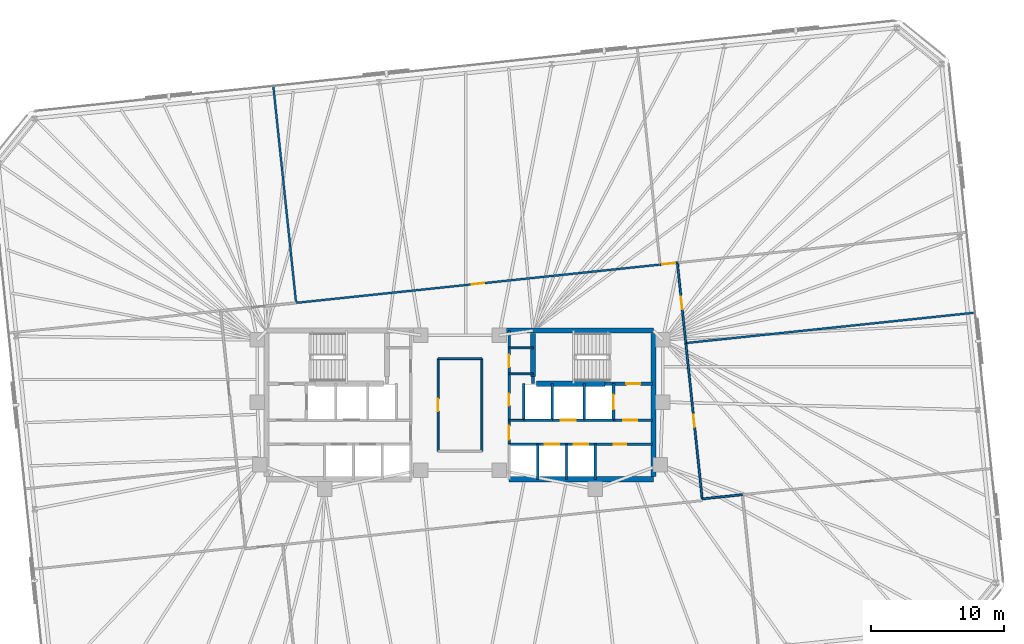
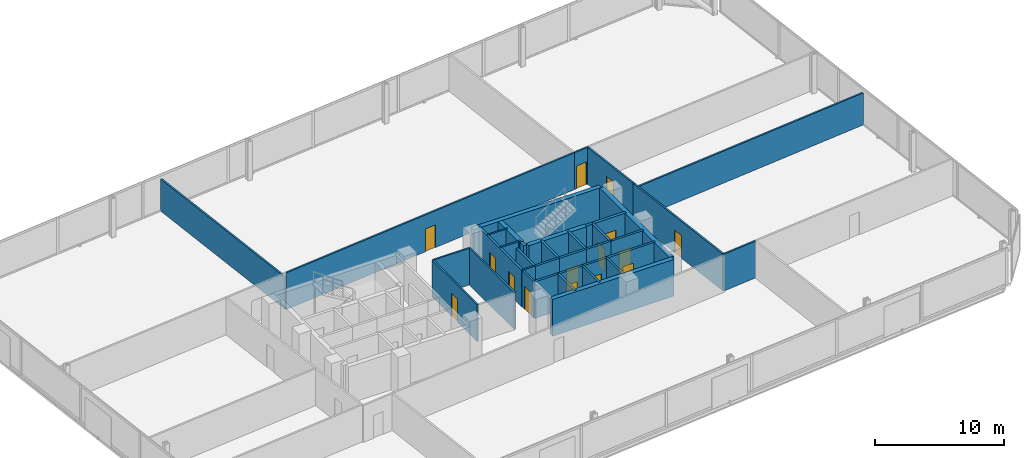
# One storey, part 15 of 18: 34 walls, 15 doors, 15 openings.
"""IFC4 building model written with IfcOpenShell, lengths in metres."""

from ifc_helpers import new_model, si_unit, direction, frame, frame_2d, origin, place, context, subcontext, project, spatial, rectangle, extrude, material, layer, layer_set, type_object, element, fill, save


model = new_model("IFC4")

# Units and contexts
model_context = context("Model", 3, precision=1e-05, world=origin(), true_north=direction((0.0, 1.0)))
body_context = subcontext(model_context, "Body", "Model", "MODEL_VIEW")
ifc_project = project(units=[si_unit("LENGTHUNIT", "METRE"), si_unit("AREAUNIT", "SQUARE_METRE"), si_unit("VOLUMEUNIT", "CUBIC_METRE"), si_unit("PLANEANGLEUNIT", "RADIAN"), si_unit("MASSUNIT", "GRAM", prefix="KILO")], contexts=[model_context])

# Site, building, storey
site_placement = place(None, origin())
site = spatial("IfcSite", under=ifc_project, at=site_placement, CompositionType="ELEMENT")
building_placement = place(site_placement, origin())
building = spatial("IfcBuilding", under=site, at=building_placement, Name="Menara Jurai Vektor", CompositionType="ELEMENT")
storey_placement = place(building_placement, frame((0.0, 0.0, 91.10009765625)))
storey = spatial("IfcBuildingStorey", under=building, at=storey_placement, Name="L22", CompositionType="ELEMENT", Elevation=91.10009765625)

# Wall, opening, door
ifc_material_1 = material(Name="Concrete C40/50", Category="concrete")
ifc_layer_1 = layer(ifc_material_1, 0.25)
ifc_layer_set_1 = layer_set([ifc_layer_1], Name="Concrete C40/50")
wall_type_1 = type_object("IfcWallType", Name="INT-WALL-CORE-250", PredefinedType="STANDARD", material=ifc_layer_set_1)
wall_1_placement = place(storey_placement, frame((10.89990234375, 1.60009765625, 0.0), z_axis=(0.0, 0.0, 1.0), x_axis=(1.0, 0.0, 0.0)))
wall_1 = element("IfcWall", 1, at=wall_1_placement, inside=storey, type_object=wall_type_1, Name="Interior Wall IW-250 L22", PredefinedType="STANDARD", context=body_context, shape_type="SweptSolid", body=[
    extrude(rectangle(XDim=3.60009765625, YDim=0.25, at=frame_2d((1.800048828125, 0.0))), origin(), (0.0, 0.0, 1.0), 3.474853515625),
])
opening_1_placement = place(wall_1_placement, frame((1.6201171875, 0.0, 0.0)))
opening_1 = element("IfcOpeningElement", 2, at=opening_1_placement, cuts=wall_1, Name="Opening D-L22-ST2", PredefinedType="OPENING", context=body_context, shape_type="SweptSolid", body=[
    extrude(rectangle(XDim=1.050048828125, YDim=2.14990234375, at=frame_2d((0.52490234375, 1.074951171875))), frame((0.0, 0.135009765625, 0.0), z_axis=(0.0, -1.0, 0.0), x_axis=(1.0, 0.0, 0.0)), (0.0, 0.0, 1.0), 0.27001953125),
])
ifc_material_2 = material(Name="Fire-Rated Steel Door", Category="steel")
door_type_1 = type_object("IfcDoorType", Name="DR-STAIR-1050", OperationType="NOTDEFINED", PredefinedType="DOOR", material=ifc_material_2)
door_1_placement = place(opening_1_placement, origin())
door_1 = element("IfcDoor", 3, at=door_1_placement, inside=storey, type_object=door_type_1, Name="Exit Stair ST2 Door L22", OperationType="SINGLE_SWING_LEFT", OverallHeight=2.14990234375, OverallWidth=1.050048828125, PredefinedType="DOOR", context=body_context, shape_type="SweptSolid", body=[
    extrude(rectangle(XDim=1.050048828125, YDim=2.14990234375, at=frame_2d((0.52490234375, 1.074951171875))), frame((0.0, 0.02490234375, 0.0), z_axis=(0.0, -1.0, 0.0), x_axis=(1.0, 0.0, 0.0)), (0.0, 0.0, 1.0), 0.050048828125),
])
fill(opening_1, door_1)

# Wall
wall_2_placement = place(storey_placement, frame((5.5, 1.60009765625, 0.0), z_axis=(0.0, 0.0, 1.0), x_axis=(0.0, 1.0, 0.0)))
element("IfcWall", 4, at=wall_2_placement, inside=storey, type_object=wall_type_1, Name="Interior Wall IW-250 L22", PredefinedType="STANDARD", context=body_context, shape_type="SweptSolid", body=[
    extrude(rectangle(XDim=0.5498046875, YDim=0.25, at=frame_2d((0.27490234375, 0.0))), origin(), (0.0, 0.0, 1.0), 3.474853515625),
])

# Wall, opening, door
wall_3_placement = place(storey_placement, frame((11.550048828125, -1.14990234375, 0.0), z_axis=(0.0, 0.0, 1.0), x_axis=(0.0, 1.0, 0.0)))
wall_3 = element("IfcWall", 5, at=wall_3_placement, inside=storey, type_object=wall_type_1, Name="Interior Wall IW-250 L22", PredefinedType="STANDARD", context=body_context, shape_type="SweptSolid", body=[
    extrude(rectangle(XDim=2.75, YDim=0.199951171875, at=frame_2d((1.375, 0.0))), origin(), (0.0, 0.0, 1.0), 3.474853515625),
])
opening_2_placement = place(wall_3_placement, frame((0.824951171875, 0.0, 0.0)))
opening_2 = element("IfcOpeningElement", 6, at=opening_2_placement, cuts=wall_3, Name="Opening LD-L22-FL2", PredefinedType="OPENING", context=body_context, shape_type="SweptSolid", body=[
    extrude(rectangle(XDim=1.10009765625, YDim=2.14990234375, at=frame_2d((0.550048828125, 1.074951171875))), frame((0.0, 0.10986328125, 0.0), z_axis=(0.0, -1.0, 0.0), x_axis=(1.0, 0.0, 0.0)), (0.0, 0.0, 1.0), 0.219970703125),
])
ifc_material_3 = material(Name="Stainless Steel Sliding Lift Landing Door", Category="steel")
door_type_2 = type_object("IfcDoorType", Name="DR-LIFT-FIRE-1100", OperationType="NOTDEFINED", PredefinedType="DOOR", material=ifc_material_3)
door_2_placement = place(opening_2_placement, origin())
door_2 = element("IfcDoor", 7, at=door_2_placement, inside=storey, type_object=door_type_2, Name="Lift Landing Door FL2 L22", OperationType="SLIDING_TO_RIGHT", OverallHeight=2.14990234375, OverallWidth=1.10009765625, PredefinedType="DOOR", context=body_context, shape_type="SweptSolid", body=[
    extrude(rectangle(XDim=1.10009765625, YDim=2.14990234375, at=frame_2d((0.550048828125, 1.074951171875))), frame((0.0, 0.02490234375, 0.0), z_axis=(0.0, -1.0, 0.0), x_axis=(1.0, 0.0, 0.0)), (0.0, 0.0, 1.0), 0.050048828125),
])
fill(opening_2, door_2)

# Wall
wall_4_placement = place(storey_placement, frame((9.35009765625, -1.14990234375, 0.0), z_axis=(0.0, 0.0, 1.0), x_axis=(0.0, 1.0, 0.0)))
element("IfcWall", 8, at=wall_4_placement, inside=storey, type_object=wall_type_1, Name="Interior Wall IW-250 L22", PredefinedType="STANDARD", context=body_context, shape_type="SweptSolid", body=[
    extrude(rectangle(XDim=2.75, YDim=0.199951171875, at=frame_2d((1.375, 0.0))), origin(), (0.0, 0.0, 1.0), 3.474853515625),
])

# Wall, opening, door
wall_5_placement = place(storey_placement, frame((11.550048828125, -1.14990234375, 0.0), z_axis=(0.0, 0.0, 1.0), x_axis=(1.0, 0.0, 0.0)))
wall_5 = element("IfcWall", 9, at=wall_5_placement, inside=storey, type_object=wall_type_1, Name="Interior Wall IW-250 L22", PredefinedType="STANDARD", context=body_context, shape_type="SweptSolid", body=[
    extrude(rectangle(XDim=2.949951171875, YDim=0.199951171875, at=frame_2d((1.47509765625, 0.0))), origin(), (0.0, 0.0, 1.0), 3.474853515625),
])
opening_3_placement = place(wall_5_placement, frame((0.75, 0.0, 0.0)))
opening_3 = element("IfcOpeningElement", 10, at=opening_3_placement, cuts=wall_5, Name="Opening D-L22-FFE", PredefinedType="OPENING", context=body_context, shape_type="SweptSolid", body=[
    extrude(rectangle(XDim=1.050048828125, YDim=2.179931640625, at=frame_2d((0.52490234375, 1.08984375))), frame((0.0, 0.10986328125, 0.0), z_axis=(0.0, -1.0, 0.0), x_axis=(1.0, 0.0, 0.0)), (0.0, 0.0, 1.0), 0.219970703125),
])
ifc_material_4 = material(Name="Fire-Rated Timber Door", Category="wood")
door_type_3 = type_object("IfcDoorType", Name="DR-LOBBY-1050", OperationType="NOTDEFINED", PredefinedType="DOOR", material=ifc_material_4)
door_3_placement = place(opening_3_placement, origin())
door_3 = element("IfcDoor", 11, at=door_3_placement, inside=storey, type_object=door_type_3, Name="Fire Lift Lobby Door E L22", OperationType="SINGLE_SWING_LEFT", OverallHeight=2.179931640625, OverallWidth=1.050048828125, PredefinedType="DOOR", context=body_context, shape_type="SweptSolid", body=[
    extrude(rectangle(XDim=1.050048828125, YDim=2.179931640625, at=frame_2d((0.52490234375, 1.08984375))), frame((0.0, 0.02490234375, 0.0), z_axis=(0.0, -1.0, 0.0), x_axis=(1.0, 0.0, 0.0)), (0.0, 0.0, 1.0), 0.050048828125),
])
fill(opening_3, door_3)

# Wall
wall_6_placement = place(storey_placement, frame((9.35009765625, -1.14990234375, 0.0), z_axis=(0.0, 0.0, 1.0), x_axis=(1.0, 0.0, 0.0)))
element("IfcWall", 12, at=wall_6_placement, inside=storey, type_object=wall_type_1, Name="Interior Wall IW-250 L22", PredefinedType="STANDARD", context=body_context, shape_type="SweptSolid", body=[
    extrude(rectangle(XDim=2.199951171875, YDim=0.199951171875, at=frame_2d((1.10009765625, 0.0))), origin(), (0.0, 0.0, 1.0), 3.474853515625),
])

# Wall, opening, door
ifc_material_5 = material(Name="Gypsum Fireboard Partition", Category="gypsum")
ifc_layer_2 = layer(ifc_material_5, 0.14990234375)
ifc_layer_set_2 = layer_set([ifc_layer_2], Name="Gypsum Fireboard Partition")
wall_type_2 = type_object("IfcWallType", Name="INT-WALL-CORR-150", PredefinedType="PARTITIONING", material=ifc_layer_set_2)
wall_7_placement = place(storey_placement, frame((3.699951171875, -2.949951171875, 0.0), z_axis=(0.0, 0.0, 1.0), x_axis=(0.0, 1.0, 0.0)))
wall_7 = element("IfcWall", 13, at=wall_7_placement, inside=storey, type_object=wall_type_2, Name="Interior Wall IW-150 L22", PredefinedType="PARTITIONING", context=body_context, shape_type="SweptSolid", body=[
    extrude(rectangle(XDim=1.800048828125, YDim=0.14990234375, at=frame_2d((0.89990234375, 0.0))), origin(), (0.0, 0.0, 1.0), 3.474853515625),
])
opening_4_placement = place(wall_7_placement, frame((0.35009765625, 0.0, 0.0)))
opening_4 = element("IfcOpeningElement", 14, at=opening_4_placement, cuts=wall_7, Name="Opening D-L22-LLE", PredefinedType="OPENING", context=body_context, shape_type="SweptSolid", body=[
    extrude(rectangle(XDim=1.050048828125, YDim=2.179931640625, at=frame_2d((0.52490234375, 1.08984375))), frame((0.0, 0.0849609375, 0.0), z_axis=(0.0, -1.0, 0.0), x_axis=(1.0, 0.0, 0.0)), (0.0, 0.0, 1.0), 0.169921875),
])
door_4_placement = place(opening_4_placement, frame((1.050048828125, 0.0, 0.0), z_axis=(0.0, 0.0, 1.0), x_axis=(-1.0, 0.0, 0.0)))
door_4 = element("IfcDoor", 15, at=door_4_placement, inside=storey, type_object=door_type_3, Name="Lift Lobby Corridor Door E L22", OperationType="SINGLE_SWING_RIGHT", OverallHeight=2.179931640625, OverallWidth=1.050048828125, PredefinedType="DOOR", context=body_context, shape_type="SweptSolid", body=[
    extrude(rectangle(XDim=1.050048828125, YDim=2.179931640625, at=frame_2d((0.52490234375, 1.08984375))), frame((0.0, 0.02490234375, 0.0), z_axis=(0.0, -1.0, 0.0), x_axis=(1.0, 0.0, 0.0)), (0.0, 0.0, 1.0), 0.050048828125),
])
fill(opening_4, door_4)

# Walls
wall_8_placement = place(storey_placement, frame((3.699951171875, -1.14990234375, 0.0), z_axis=(0.0, 0.0, 1.0), x_axis=(1.0, 0.0, 0.0)))
element("IfcWall", 16, at=wall_8_placement, inside=storey, type_object=wall_type_2, Name="Interior Wall IW-150 L22", PredefinedType="PARTITIONING", context=body_context, shape_type="SweptSolid", body=[
    extrude(rectangle(XDim=1.090087890625, YDim=0.14990234375, at=frame_2d((0.544921875, 0.0))), origin(), (0.0, 0.0, 1.0), 3.474853515625),
])
for number, where, z_axis, x_axis, name in (
    (17, (3.699951171875, 4.300048828125, 0.0), (0.0, 0.0, 1.0), (1.0, 0.0, 0.0), "Interior Wall IW-150 L22"),
    (18, (3.699951171875, 2.35009765625, 0.0), (0.0, 0.0, 1.0), (1.0, 0.0, 0.0), "Interior Wall IW-150 L22"),
):
    element("IfcWall", number, at=place(storey_placement, frame(where, z_axis=z_axis, x_axis=x_axis)), inside=storey, type_object=wall_type_2, Name=name, PredefinedType="PARTITIONING", context=body_context, shape_type="SweptSolid", body=[
        extrude(rectangle(XDim=1.800048828125, YDim=0.14990234375, at=frame_2d((0.89990234375, 0.0))), origin(), (0.0, 0.0, 1.0), 3.474853515625),
    ])

# Wall, opening, door
wall_9_placement = place(storey_placement, frame((-1.649658203125, -3.490478515625, 0.0), z_axis=(0.0, 0.0, 1.0), x_axis=(-0.000104928124, 0.999999994495, 0.0)))
wall_9 = element("IfcWall", 19, at=wall_9_placement, inside=storey, type_object=wall_type_2, Name="Interior Wall IW-150 L22", PredefinedType="PARTITIONING", context=body_context, shape_type="SweptSolid", body=[
    extrude(rectangle(XDim=6.980224609375, YDim=0.14990234375, at=frame_2d((3.490234375, 0.0))), origin(), (0.0, 0.0, 1.0), 3.474853515625),
])
opening_5_placement = place(wall_9_placement, frame((3.01513671875, 0.0, 0.0)))
opening_5 = element("IfcOpeningElement", 20, at=opening_5_placement, cuts=wall_9, Name="Opening D22-06", PredefinedType="OPENING", context=body_context, shape_type="SweptSolid", body=[
    extrude(rectangle(XDim=0.949951171875, YDim=2.14990234375, at=frame_2d((0.47509765625, 1.074951171875))), frame((0.0, 0.0849609375, 0.0), z_axis=(0.0, -1.0, 0.0), x_axis=(1.0, 0.0, 0.0)), (0.0, 0.0, 1.0), 0.169921875),
])
ifc_material_6 = material(Name="Solid Core Timber Fire Door", Category="wood")
door_type_4 = type_object("IfcDoorType", Name="DR-ENTRY-950", OperationType="NOTDEFINED", PredefinedType="DOOR", material=ifc_material_6)
door_5_placement = place(opening_5_placement, origin())
door_5 = element("IfcDoor", 21, at=door_5_placement, inside=storey, type_object=door_type_4, Name="Interior Door D22-06", OperationType="SINGLE_SWING_LEFT", OverallHeight=2.14990234375, OverallWidth=0.949951171875, PredefinedType="DOOR", context=body_context, shape_type="SweptSolid", body=[
    extrude(rectangle(XDim=0.949951171875, YDim=2.14990234375, at=frame_2d((0.47509765625, 1.074951171875))), frame((0.0, 0.02490234375, 0.0), z_axis=(0.0, -1.0, 0.0), x_axis=(1.0, 0.0, 0.0)), (0.0, 0.0, 1.0), 0.050048828125),
])
fill(opening_5, door_5)

# Walls
wall_10_placement = place(storey_placement, frame((-1.650390625, 3.48974609375, 0.0), z_axis=(0.0, 0.0, 1.0), x_axis=(1.0, 0.0, 0.0)))
element("IfcWall", 22, at=wall_10_placement, inside=storey, type_object=wall_type_2, Name="Interior Wall IW-150 L22", PredefinedType="PARTITIONING", context=body_context, shape_type="SweptSolid", body=[
    extrude(rectangle(XDim=3.30029296875, YDim=0.14990234375, at=frame_2d((1.650146484375, 0.0))), origin(), (0.0, 0.0, 1.0), 3.474853515625),
])
wall_11_placement = place(storey_placement, frame((1.650390625, -3.490478515625, 0.0), z_axis=(0.0, 0.0, 1.0), x_axis=(-6.9952083e-05, 0.999999997553, 0.0)))
element("IfcWall", 23, at=wall_11_placement, inside=storey, type_object=wall_type_2, Name="Interior Wall IW-150 L22", PredefinedType="PARTITIONING", context=body_context, shape_type="SweptSolid", body=[
    extrude(rectangle(XDim=6.980224609375, YDim=0.14990234375, at=frame_2d((3.490234375, 0.0))), origin(), (0.0, 0.0, 1.0), 3.474853515625),
])

# Wall, opening, door
wall_12_placement = place(storey_placement, frame((-12.335693359375, 7.68798828125, 0.0), z_axis=(0.0, 0.0, 1.0), x_axis=(0.994522386381, 0.104523791488, 0.0)))
wall_12 = element("IfcWall", 24, at=wall_12_placement, inside=storey, type_object=wall_type_2, Name="Interior Wall IW-150 L22", PredefinedType="PARTITIONING", context=body_context, shape_type="SweptSolid", body=[
    extrude(rectangle(XDim=27.550048828125, YDim=0.14990234375, at=frame_2d((13.77490234375, 0.0))), origin(), (0.0, 0.0, 1.0), 3.474853515625),
])
opening_6_placement = place(wall_12_placement, frame((13.300048828125, 0.0, 0.0)))
opening_6 = element("IfcOpeningElement", 25, at=opening_6_placement, cuts=wall_12, Name="Opening D22-08", PredefinedType="OPENING", context=body_context, shape_type="SweptSolid", body=[
    extrude(rectangle(XDim=0.949951171875, YDim=2.14990234375, at=frame_2d((0.47509765625, 1.074951171875))), frame((0.0, 0.0849609375, 0.0), z_axis=(0.0, -1.0, 0.0), x_axis=(1.0, 0.0, 0.0)), (0.0, 0.0, 1.0), 0.169921875),
])
door_6_placement = place(opening_6_placement, origin())
door_6 = element("IfcDoor", 26, at=door_6_placement, inside=storey, type_object=door_type_4, Name="Interior Door D22-08", OperationType="SINGLE_SWING_LEFT", OverallHeight=2.14990234375, OverallWidth=0.949951171875, PredefinedType="DOOR", context=body_context, shape_type="SweptSolid", body=[
    extrude(rectangle(XDim=0.949951171875, YDim=2.14990234375, at=frame_2d((0.47509765625, 1.074951171875))), frame((0.0, 0.02490234375, 0.0), z_axis=(0.0, -1.0, 0.0), x_axis=(1.0, 0.0, 0.0)), (0.0, 0.0, 1.0), 0.050048828125),
])
fill(opening_6, door_6)

wall_13_placement = place(storey_placement, frame((15.0634765625, 10.567626953125, 0.0), z_axis=(0.0, 0.0, 1.0), x_axis=(0.994533054704, 0.104422234707, 0.0)))
wall_13 = element("IfcWall", 27, at=wall_13_placement, inside=storey, type_object=wall_type_2, Name="Interior Wall IW-150 L22", PredefinedType="PARTITIONING", context=body_context, shape_type="SweptSolid", body=[
    extrude(rectangle(XDim=1.306884765625, YDim=0.14990234375, at=frame_2d((0.6533203125, 0.0))), origin(), (0.0, 0.0, 1.0), 3.474853515625),
])
opening_7_placement = place(wall_13_placement, frame((0.178466796875, 0.0, 0.0)))
opening_7 = element("IfcOpeningElement", 28, at=opening_7_placement, cuts=wall_13, Name="Opening D22-09", PredefinedType="OPENING", context=body_context, shape_type="SweptSolid", body=[
    extrude(rectangle(XDim=0.949951171875, YDim=2.14990234375, at=frame_2d((0.47509765625, 1.074951171875))), frame((0.0, 0.0849609375, 0.0), z_axis=(0.0, -1.0, 0.0), x_axis=(1.0, 0.0, 0.0)), (0.0, 0.0, 1.0), 0.169921875),
])
door_7_placement = place(opening_7_placement, origin())
door_7 = element("IfcDoor", 29, at=door_7_placement, inside=storey, type_object=door_type_4, Name="Interior Door D22-09", OperationType="SINGLE_SWING_RIGHT", OverallHeight=2.14990234375, OverallWidth=0.949951171875, PredefinedType="DOOR", context=body_context, shape_type="SweptSolid", body=[
    extrude(rectangle(XDim=0.949951171875, YDim=2.14990234375, at=frame_2d((0.47509765625, 1.074951171875))), frame((0.0, 0.02490234375, 0.0), z_axis=(0.0, -1.0, 0.0), x_axis=(1.0, 0.0, 0.0)), (0.0, 0.0, 1.0), 0.050048828125),
])
fill(opening_7, door_7)

wall_14_placement = place(storey_placement, frame((18.231201171875, -7.06787109375, 0.0), z_axis=(0.0, 0.0, 1.0), x_axis=(-0.104536082083, 0.994521094569, 0.0)))
wall_14 = element("IfcWall", 30, at=wall_14_placement, inside=storey, type_object=wall_type_2, Name="Interior Wall IW-150 L22", PredefinedType="PARTITIONING", context=body_context, shape_type="SweptSolid", body=[
    extrude(rectangle(XDim=11.794189453125, YDim=0.14990234375, at=frame_2d((5.89697265625, 0.0))), origin(), (0.0, 0.0, 1.0), 3.474853515625),
])
opening_8_placement = place(wall_14_placement, frame((5.422119140625, 0.0, 0.0)))
opening_8 = element("IfcOpeningElement", 31, at=opening_8_placement, cuts=wall_14, Name="Opening D22-14", PredefinedType="OPENING", context=body_context, shape_type="SweptSolid", body=[
    extrude(rectangle(XDim=0.949951171875, YDim=2.14990234375, at=frame_2d((0.47509765625, 1.074951171875))), frame((0.0, 0.0849609375, 0.0), z_axis=(0.0, -1.0, 0.0), x_axis=(1.0, 0.0, 0.0)), (0.0, 0.0, 1.0), 0.169921875),
])
door_8_placement = place(opening_8_placement, origin())
door_8 = element("IfcDoor", 32, at=door_8_placement, inside=storey, type_object=door_type_4, Name="Interior Door D22-14", OperationType="SINGLE_SWING_LEFT", OverallHeight=2.14990234375, OverallWidth=0.949951171875, PredefinedType="DOOR", context=body_context, shape_type="SweptSolid", body=[
    extrude(rectangle(XDim=0.949951171875, YDim=2.14990234375, at=frame_2d((0.47509765625, 1.074951171875))), frame((0.0, 0.02490234375, 0.0), z_axis=(0.0, -1.0, 0.0), x_axis=(1.0, 0.0, 0.0)), (0.0, 0.0, 1.0), 0.050048828125),
])
fill(opening_8, door_8)

wall_15_placement = place(storey_placement, frame((16.998291015625, 4.66162109375, 0.0), z_axis=(0.0, 0.0, 1.0), x_axis=(-0.104515354875, 0.994523273029, 0.0)))
wall_15 = element("IfcWall", 33, at=wall_15_placement, inside=storey, type_object=wall_type_2, Name="Interior Wall IW-150 L22", PredefinedType="PARTITIONING", context=body_context, shape_type="SweptSolid", body=[
    extrude(rectangle(XDim=6.07568359375, YDim=0.14990234375, at=frame_2d((3.037841796875, 0.0))), origin(), (0.0, 0.0, 1.0), 3.474853515625),
])
opening_9_placement = place(wall_15_placement, frame((2.56298828125, 0.0, 0.0)))
opening_9 = element("IfcOpeningElement", 34, at=opening_9_placement, cuts=wall_15, Name="Opening D22-15", PredefinedType="OPENING", context=body_context, shape_type="SweptSolid", body=[
    extrude(rectangle(XDim=0.949951171875, YDim=2.14990234375, at=frame_2d((0.47509765625, 1.074951171875))), frame((0.0, 0.0849609375, 0.0), z_axis=(0.0, -1.0, 0.0), x_axis=(1.0, 0.0, 0.0)), (0.0, 0.0, 1.0), 0.169921875),
])
door_9_placement = place(opening_9_placement, origin())
door_9 = element("IfcDoor", 35, at=door_9_placement, inside=storey, type_object=door_type_4, Name="Interior Door D22-15", OperationType="SINGLE_SWING_RIGHT", OverallHeight=2.14990234375, OverallWidth=0.949951171875, PredefinedType="DOOR", context=body_context, shape_type="SweptSolid", body=[
    extrude(rectangle(XDim=0.949951171875, YDim=2.14990234375, at=frame_2d((0.47509765625, 1.074951171875))), frame((0.0, 0.02490234375, 0.0), z_axis=(0.0, -1.0, 0.0), x_axis=(1.0, 0.0, 0.0)), (0.0, 0.0, 1.0), 0.050048828125),
])
fill(opening_9, door_9)

# Walls
wall_16_placement = place(storey_placement, frame((18.231201171875, -7.06787109375, 0.0), z_axis=(0.0, 0.0, 1.0), x_axis=(0.994520828596, 0.104538612428, 0.0)))
element("IfcWall", 36, at=wall_16_placement, inside=storey, type_object=wall_type_2, Name="Interior Wall IW-150 L22", PredefinedType="PARTITIONING", context=body_context, shape_type="SweptSolid", body=[
    extrude(rectangle(XDim=3.04296875, YDim=0.14990234375, at=frame_2d((1.521484375, 0.0))), origin(), (0.0, 0.0, 1.0), 3.474853515625),
])
ifc_layer_3 = layer(ifc_material_5, 0.14990234375)
ifc_layer_set_3 = layer_set([ifc_layer_3], Name="Gypsum Fireboard Partition")
wall_type_3 = type_object("IfcWallType", Name="INT-WALL-CORR-150-H1", PredefinedType="PARTITIONING", material=ifc_layer_set_3)
wall_17_placement = place(storey_placement, frame((-12.335693359375, 7.68798828125, 0.0), z_axis=(0.0, 0.0, 1.0), x_axis=(-0.104521364336, 0.99452264147, 0.0)))
element("IfcWall", 37, at=wall_17_placement, inside=storey, type_object=wall_type_3, Name="Interior Wall IW-150 L22", PredefinedType="PARTITIONING", context=body_context, shape_type="SweptSolid", body=[
    extrude(rectangle(XDim=16.408935546875, YDim=0.14990234375, at=frame_2d((8.20458984375, 0.0))), origin(), (0.0, 0.0, 1.0), 3.02490234375),
])
wall_18_placement = place(storey_placement, frame((16.998291015625, 4.66162109375, 0.0), z_axis=(0.0, 0.0, 1.0), x_axis=(0.994522487751, 0.10452282697, 0.0)))
element("IfcWall", 38, at=wall_18_placement, inside=storey, type_object=wall_type_3, Name="Interior Wall IW-150 L22", PredefinedType="PARTITIONING", context=body_context, shape_type="SweptSolid", body=[
    extrude(rectangle(XDim=21.89306640625, YDim=0.14990234375, at=frame_2d((10.946533203125, 0.0))), origin(), (0.0, 0.0, 1.0), 3.02490234375),
])

# Wall, openings, doors
ifc_layer_4 = layer(ifc_material_1, 0.199951171875)
ifc_layer_set_4 = layer_set([ifc_layer_4], Name="Concrete C40/50")
wall_type_4 = type_object("IfcWallType", Name="INT-WALL-SHAFT-200", PredefinedType="STANDARD", material=ifc_layer_set_4)
wall_19_placement = place(storey_placement, frame((3.699951171875, -1.14990234375, 0.0), z_axis=(0.0, 0.0, 1.0), x_axis=(0.0, 1.0, 0.0)))
wall_19 = element("IfcWall", 39, at=wall_19_placement, inside=storey, type_object=wall_type_4, Name="Interior Wall IW-200 L22", PredefinedType="STANDARD", context=body_context, shape_type="SweptSolid", body=[
    extrude(rectangle(XDim=6.75, YDim=0.199951171875, at=frame_2d((3.375, 0.0))), origin(), (0.0, 0.0, 1.0), 3.474853515625),
])
opening_10_placement = place(wall_19_placement, frame((1.10009765625, 0.0, 0.0)))
opening_10 = element("IfcOpeningElement", 40, at=opening_10_placement, cuts=wall_19, Name="Opening D22-04", PredefinedType="OPENING", context=body_context, shape_type="SweptSolid", body=[
    extrude(rectangle(XDim=0.89990234375, YDim=2.14990234375, at=frame_2d((0.449951171875, 1.074951171875))), frame((0.0, 0.10986328125, 0.0), z_axis=(0.0, -1.0, 0.0), x_axis=(1.0, 0.0, 0.0)), (0.0, 0.0, 1.0), 0.219970703125),
])
opening_11_placement = place(wall_19_placement, frame((4.0, 0.0, 0.0)))
opening_11 = element("IfcOpeningElement", 41, at=opening_11_placement, cuts=wall_19, Name="Opening D22-05", PredefinedType="OPENING", context=body_context, shape_type="SweptSolid", body=[
    extrude(rectangle(XDim=0.919921875, YDim=2.14990234375, at=frame_2d((0.4599609375, 1.074951171875))), frame((0.0, 0.10986328125, 0.0), z_axis=(0.0, -1.0, 0.0), x_axis=(1.0, 0.0, 0.0)), (0.0, 0.0, 1.0), 0.219970703125),
])
door_10_placement = place(opening_10_placement, origin())
door_10 = element("IfcDoor", 42, at=door_10_placement, inside=storey, type_object=door_type_4, Name="Interior Door D22-04", OperationType="SINGLE_SWING_RIGHT", OverallHeight=2.14990234375, OverallWidth=0.89990234375, PredefinedType="DOOR", context=body_context, shape_type="SweptSolid", body=[
    extrude(rectangle(XDim=0.89990234375, YDim=2.14990234375, at=frame_2d((0.449951171875, 1.074951171875))), frame((0.0, 0.02490234375, 0.0), z_axis=(0.0, -1.0, 0.0), x_axis=(1.0, 0.0, 0.0)), (0.0, 0.0, 1.0), 0.050048828125),
])
fill(opening_10, door_10)
door_11_placement = place(opening_11_placement, origin())
door_11 = element("IfcDoor", 43, at=door_11_placement, inside=storey, type_object=door_type_4, Name="Interior Door D22-05", OperationType="SINGLE_SWING_RIGHT", OverallHeight=2.14990234375, OverallWidth=0.919921875, PredefinedType="DOOR", context=body_context, shape_type="SweptSolid", body=[
    extrude(rectangle(XDim=0.919921875, YDim=2.14990234375, at=frame_2d((0.4599609375, 1.074951171875))), frame((0.0, 0.02490234375, 0.0), z_axis=(0.0, -1.0, 0.0), x_axis=(1.0, 0.0, 0.0)), (0.0, 0.0, 1.0), 0.050048828125),
])
fill(opening_11, door_11)

# Wall
wall_20_placement = place(storey_placement, frame((6.949951171875, -1.14990234375, 0.0), z_axis=(0.0, 0.0, 1.0), x_axis=(0.0, 1.0, 0.0)))
element("IfcWall", 44, at=wall_20_placement, inside=storey, type_object=wall_type_4, Name="Interior Wall IW-200 L22", PredefinedType="STANDARD", context=body_context, shape_type="SweptSolid", body=[
    extrude(rectangle(XDim=2.75, YDim=0.199951171875, at=frame_2d((1.375, 0.0))), origin(), (0.0, 0.0, 1.0), 3.474853515625),
])

# Wall, opening, door
wall_21_placement = place(storey_placement, frame((6.949951171875, -1.14990234375, 0.0), z_axis=(0.0, 0.0, 1.0), x_axis=(1.0, 0.0, 0.0)))
wall_21 = element("IfcWall", 45, at=wall_21_placement, inside=storey, type_object=wall_type_4, Name="Interior Wall IW-200 L22", PredefinedType="STANDARD", context=body_context, shape_type="SweptSolid", body=[
    extrude(rectangle(XDim=2.400146484375, YDim=0.199951171875, at=frame_2d((1.2001953125, 0.0))), origin(), (0.0, 0.0, 1.0), 3.474853515625),
])
opening_12_placement = place(wall_21_placement, frame((0.64990234375, 0.0, 0.0)))
opening_12 = element("IfcOpeningElement", 46, at=opening_12_placement, cuts=wall_21, Name="Opening LD-L22-SVL2", PredefinedType="OPENING", context=body_context, shape_type="SweptSolid", body=[
    extrude(rectangle(XDim=1.10009765625, YDim=2.14990234375, at=frame_2d((0.550048828125, 1.074951171875))), frame((0.0, 0.10986328125, 0.0), z_axis=(0.0, -1.0, 0.0), x_axis=(1.0, 0.0, 0.0)), (0.0, 0.0, 1.0), 0.219970703125),
])
ifc_material_7 = material(Name="Anodised Stainless Sliding Lift Landing Door", Category="steel")
door_type_5 = type_object("IfcDoorType", Name="DR-LIFT-PASS-1100", OperationType="NOTDEFINED", PredefinedType="DOOR", material=ifc_material_7)
door_12_placement = place(opening_12_placement, origin())
door_12 = element("IfcDoor", 47, at=door_12_placement, inside=storey, type_object=door_type_5, Name="Lift Landing Door SVL2 L22", OperationType="SLIDING_TO_RIGHT", OverallHeight=2.14990234375, OverallWidth=1.10009765625, PredefinedType="DOOR", context=body_context, shape_type="SweptSolid", body=[
    extrude(rectangle(XDim=1.10009765625, YDim=2.14990234375, at=frame_2d((0.550048828125, 1.074951171875))), frame((0.0, 0.02490234375, 0.0), z_axis=(0.0, -1.0, 0.0), x_axis=(1.0, 0.0, 0.0)), (0.0, 0.0, 1.0), 0.050048828125),
])
fill(opening_12, door_12)

# Walls
wall_22_placement = place(storey_placement, frame((4.7900390625, -1.14990234375, 0.0), z_axis=(0.0, 0.0, 1.0), x_axis=(0.0, 1.0, 0.0)))
element("IfcWall", 48, at=wall_22_placement, inside=storey, type_object=wall_type_4, Name="Interior Wall IW-200 L22", PredefinedType="STANDARD", context=body_context, shape_type="SweptSolid", body=[
    extrude(rectangle(XDim=2.75, YDim=0.199951171875, at=frame_2d((1.375, 0.0))), origin(), (0.0, 0.0, 1.0), 3.474853515625),
])
wall_23_placement = place(storey_placement, frame((4.7900390625, -1.14990234375, 0.0), z_axis=(0.0, 0.0, 1.0), x_axis=(1.0, 0.0, 0.0)))
element("IfcWall", 49, at=wall_23_placement, inside=storey, type_object=wall_type_4, Name="Interior Wall IW-200 L22", PredefinedType="STANDARD", context=body_context, shape_type="SweptSolid", body=[
    extrude(rectangle(XDim=2.159912109375, YDim=0.199951171875, at=frame_2d((1.080078125, 0.0))), origin(), (0.0, 0.0, 1.0), 3.474853515625),
])

# Wall, openings, doors
wall_24_placement = place(storey_placement, frame((3.699951171875, -2.949951171875, 0.0), z_axis=(0.0, 0.0, 1.0), x_axis=(1.0, 0.0, 0.0)))
wall_24 = element("IfcWall", 50, at=wall_24_placement, inside=storey, type_object=wall_type_4, Name="Interior Wall IW-200 L22", PredefinedType="STANDARD", context=body_context, shape_type="SweptSolid", body=[
    extrude(rectangle(XDim=10.800048828125, YDim=0.199951171875, at=frame_2d((5.39990234375, 0.0))), origin(), (0.0, 0.0, 1.0), 3.474853515625),
])
opening_13_placement = place(wall_24_placement, frame((2.68994140625, 0.0, 0.0)))
opening_13 = element("IfcOpeningElement", 51, at=opening_13_placement, cuts=wall_24, Name="Opening LD-L22-PM3", PredefinedType="OPENING", context=body_context, shape_type="SweptSolid", body=[
    extrude(rectangle(XDim=1.10009765625, YDim=2.14990234375, at=frame_2d((0.550048828125, 1.074951171875))), frame((0.0, 0.10986328125, 0.0), z_axis=(0.0, -1.0, 0.0), x_axis=(1.0, 0.0, 0.0)), (0.0, 0.0, 1.0), 0.219970703125),
])
opening_14_placement = place(wall_24_placement, frame((4.85009765625, 0.0, 0.0)))
opening_14 = element("IfcOpeningElement", 52, at=opening_14_placement, cuts=wall_24, Name="Opening LD-L22-PM4", PredefinedType="OPENING", context=body_context, shape_type="SweptSolid", body=[
    extrude(rectangle(XDim=1.10009765625, YDim=2.14990234375, at=frame_2d((0.550048828125, 1.074951171875))), frame((0.0, 0.10986328125, 0.0), z_axis=(0.0, -1.0, 0.0), x_axis=(1.0, 0.0, 0.0)), (0.0, 0.0, 1.0), 0.219970703125),
])
opening_15_placement = place(wall_24_placement, frame((7.8798828125, 0.0, 0.0)))
opening_15 = element("IfcOpeningElement", 53, at=opening_15_placement, cuts=wall_24, Name="Opening D22-03", PredefinedType="OPENING", context=body_context, shape_type="SweptSolid", body=[
    extrude(rectangle(XDim=0.949951171875, YDim=2.14990234375, at=frame_2d((0.47509765625, 1.074951171875))), frame((0.0, 0.10986328125, 0.0), z_axis=(0.0, -1.0, 0.0), x_axis=(1.0, 0.0, 0.0)), (0.0, 0.0, 1.0), 0.219970703125),
])
door_13_placement = place(opening_15_placement, origin())
door_13 = element("IfcDoor", 54, at=door_13_placement, inside=storey, type_object=door_type_4, Name="Interior Door D22-03", OperationType="SINGLE_SWING_LEFT", OverallHeight=2.14990234375, OverallWidth=0.949951171875, PredefinedType="DOOR", context=body_context, shape_type="SweptSolid", body=[
    extrude(rectangle(XDim=0.949951171875, YDim=2.14990234375, at=frame_2d((0.47509765625, 1.074951171875))), frame((0.0, 0.02490234375, 0.0), z_axis=(0.0, -1.0, 0.0), x_axis=(1.0, 0.0, 0.0)), (0.0, 0.0, 1.0), 0.050048828125),
])
fill(opening_15, door_13)
door_14_placement = place(opening_13_placement, origin())
door_14 = element("IfcDoor", 55, at=door_14_placement, inside=storey, type_object=door_type_5, Name="Lift Landing Door PM3 L22", OperationType="SLIDING_TO_LEFT", OverallHeight=2.14990234375, OverallWidth=1.10009765625, PredefinedType="DOOR", context=body_context, shape_type="SweptSolid", body=[
    extrude(rectangle(XDim=1.10009765625, YDim=2.14990234375, at=frame_2d((0.550048828125, 1.074951171875))), frame((0.0, 0.02490234375, 0.0), z_axis=(0.0, -1.0, 0.0), x_axis=(1.0, 0.0, 0.0)), (0.0, 0.0, 1.0), 0.050048828125),
])
fill(opening_13, door_14)
door_15_placement = place(opening_14_placement, origin())
door_15 = element("IfcDoor", 56, at=door_15_placement, inside=storey, type_object=door_type_5, Name="Lift Landing Door PM4 L22", OperationType="SLIDING_TO_RIGHT", OverallHeight=2.14990234375, OverallWidth=1.10009765625, PredefinedType="DOOR", context=body_context, shape_type="SweptSolid", body=[
    extrude(rectangle(XDim=1.10009765625, YDim=2.14990234375, at=frame_2d((0.550048828125, 1.074951171875))), frame((0.0, 0.02490234375, 0.0), z_axis=(0.0, -1.0, 0.0), x_axis=(1.0, 0.0, 0.0)), (0.0, 0.0, 1.0), 0.050048828125),
])
fill(opening_14, door_15)

# Walls
wall_25_placement = place(storey_placement, frame((5.860107421875, -5.60009765625, 0.0), z_axis=(0.0, 0.0, 1.0), x_axis=(0.0, 1.0, 0.0)))
element("IfcWall", 57, at=wall_25_placement, inside=storey, type_object=wall_type_4, Name="Interior Wall IW-200 L22", PredefinedType="STANDARD", context=body_context, shape_type="SweptSolid", body=[
    extrude(rectangle(XDim=2.650146484375, YDim=0.199951171875, at=frame_2d((1.3251953125, 0.0))), origin(), (0.0, 0.0, 1.0), 3.474853515625),
])
for number, where, z_axis, x_axis, name in (
    (58, (10.179931640625, -5.60009765625, 0.0), (0.0, 0.0, 1.0), (0.0, 1.0, 0.0), "Interior Wall IW-200 L22"),
    (59, (8.02001953125, -5.60009765625, 0.0), (0.0, 0.0, 1.0), (0.0, 1.0, 0.0), "Interior Wall IW-200 L22"),
):
    element("IfcWall", number, at=place(storey_placement, frame(where, z_axis=z_axis, x_axis=x_axis)), inside=storey, type_object=wall_type_4, Name=name, PredefinedType="STANDARD", context=body_context, shape_type="SweptSolid", body=[
        extrude(rectangle(XDim=2.650146484375, YDim=0.179931640625, at=frame_2d((1.3251953125, 0.0))), origin(), (0.0, 0.0, 1.0), 3.474853515625),
    ])
ifc_material_8 = material(Name="Concrete C50/60", Category="concrete")
ifc_layer_5 = layer(ifc_material_8, 0.39990234375)
ifc_layer_set_5 = layer_set([ifc_layer_5], Name="Concrete C50/60")
wall_type_5 = type_object("IfcWallType", Name="STR-WALL-CORE400", PredefinedType="SHEAR", material=ifc_layer_set_5)
wall_26_placement = place(storey_placement, frame((3.14990234375, 5.60009765625, 0.0), z_axis=(0.0, 0.0, 1.0), x_axis=(1.0, 0.0, 0.0)))
element("IfcWall", 60, at=wall_26_placement, inside=storey, type_object=wall_type_5, Name="Core Shear Wall CW-E-N L22", PredefinedType="SHEAR", context=body_context, shape_type="SweptSolid", body=[
    extrude(rectangle(XDim=11.41015625, YDim=0.39990234375, at=frame_2d((5.705078125, 0.0))), origin(), (0.0, 0.0, 1.0), 3.474853515625),
])
wall_27_placement = place(storey_placement, frame((3.699951171875, -5.60009765625, 0.0), z_axis=(0.0, 0.0, 1.0), x_axis=(1.0, 0.0, 0.0)))
element("IfcWall", 61, at=wall_27_placement, inside=storey, type_object=wall_type_5, Name="Core Shear Wall CW-E-S L22", PredefinedType="SHEAR", context=body_context, shape_type="SweptSolid", body=[
    extrude(rectangle(XDim=10.860107421875, YDim=0.39990234375, at=frame_2d((5.43017578125, 0.0))), origin(), (0.0, 0.0, 1.0), 3.474853515625),
])
wall_28_placement = place(storey_placement, frame((14.56005859375, -5.39990234375, 0.0), z_axis=(0.0, 0.0, 1.0), x_axis=(0.0, 1.0, 0.0)))
element("IfcWall", 62, at=wall_28_placement, inside=storey, type_object=wall_type_5, Name="Core Shear Wall CW-E-E L22", PredefinedType="SHEAR", context=body_context, shape_type="SweptSolid", body=[
    extrude(rectangle(XDim=10.7998046875, YDim=0.39990234375, at=frame_2d((5.39990234375, 0.0))), origin(), (0.0, 0.0, 1.0), 3.474853515625),
])
wall_29_placement = place(storey_placement, frame((5.5, 2.14990234375, 0.0), z_axis=(0.0, 0.0, 1.0), x_axis=(0.0, 1.0, 0.0)))
element("IfcWall", 63, at=wall_29_placement, inside=storey, type_object=wall_type_5, Name="Core Shear Wall CW-E-ST L22", PredefinedType="SHEAR", context=body_context, shape_type="SweptSolid", body=[
    extrude(rectangle(XDim=3.25, YDim=0.39990234375, at=frame_2d((1.625, 0.0))), origin(), (0.0, 0.0, 1.0), 3.474853515625),
])
wall_30_placement = place(storey_placement, frame((5.75, 1.60009765625, 0.0), z_axis=(0.0, 0.0, 1.0), x_axis=(1.0, 0.0, 0.0)))
element("IfcWall", 64, at=wall_30_placement, inside=storey, type_object=wall_type_5, Name="Core Shear Wall CW-E-STS L22", PredefinedType="SHEAR", context=body_context, shape_type="SweptSolid", body=[
    extrude(rectangle(XDim=5.14990234375, YDim=0.39990234375, at=frame_2d((2.574951171875, 0.0))), origin(), (0.0, 0.0, 1.0), 3.474853515625),
])

save(model, "model.ifc")
